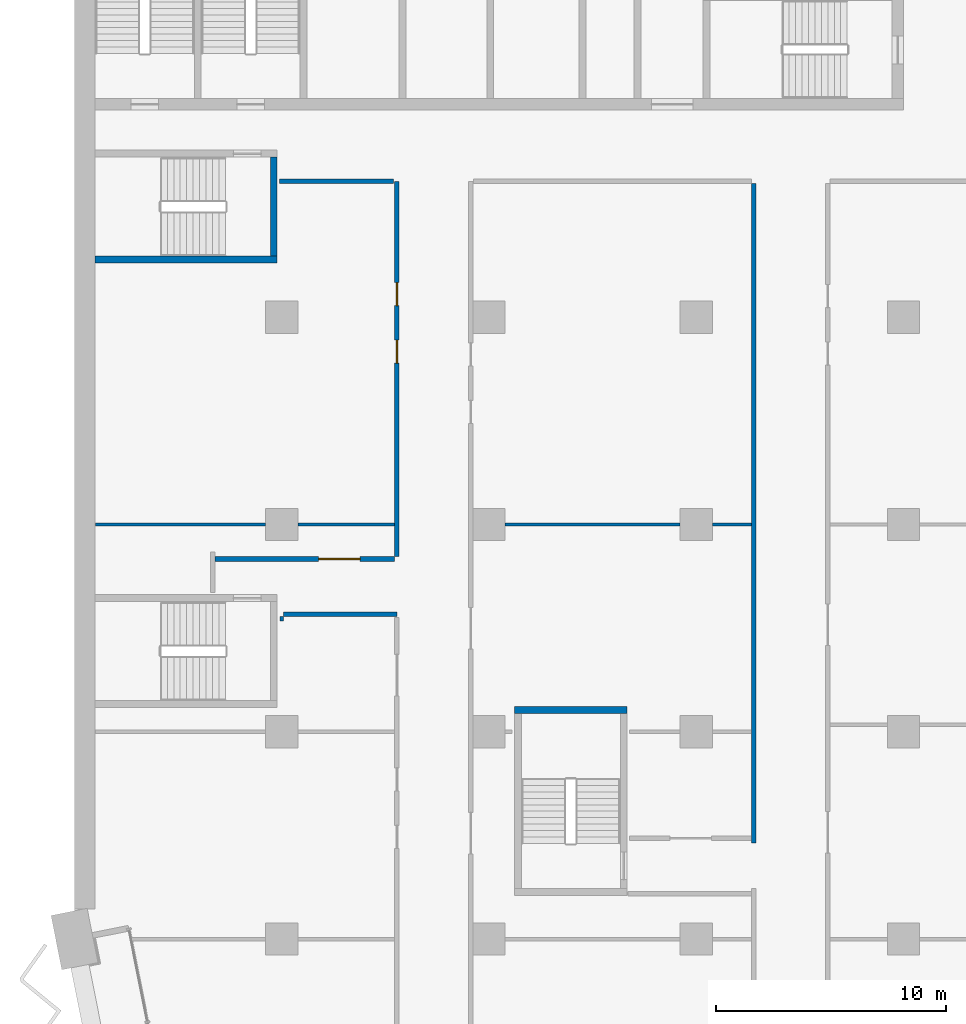
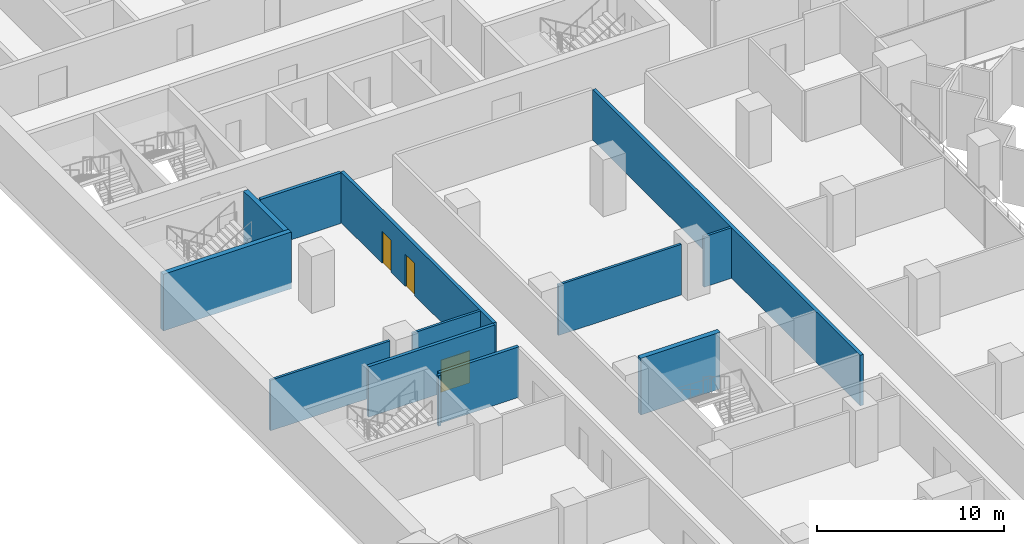
# One storey, part 12 of 29: 13 walls, 3 doors, 3 openings.
"""IFC4 building model written with IfcOpenShell, lengths in metres."""

from ifc_helpers import new_model, si_unit, direction, frame, frame_2d, origin, place, context, subcontext, project, spatial, rectangle, extrude, material, layer, layer_set, type_object, element, fill, save


model = new_model("IFC4")

# Units and contexts
model_context = context("Model", 3, precision=1e-05, world=origin(), true_north=direction((0.0, 1.0)))
body_context = subcontext(model_context, "Body", "Model", "MODEL_VIEW")
ifc_project = project(units=[si_unit("LENGTHUNIT", "METRE"), si_unit("AREAUNIT", "SQUARE_METRE"), si_unit("VOLUMEUNIT", "CUBIC_METRE"), si_unit("PLANEANGLEUNIT", "RADIAN"), si_unit("MASSUNIT", "GRAM", prefix="KILO")], contexts=[model_context])

# Site, building, storey
site_placement = place(None, origin())
site = spatial("IfcSite", under=ifc_project, at=site_placement, CompositionType="ELEMENT")
building_placement = place(site_placement, origin())
building = spatial("IfcBuilding", under=site, at=building_placement, Name="Hunhe Ridgeline Campus", CompositionType="ELEMENT")
storey_placement = place(building_placement, frame((0.0, 0.0, 69.10009765625)))
storey = spatial("IfcBuildingStorey", under=building, at=storey_placement, Name="L16", CompositionType="ELEMENT", Elevation=69.10009765625)

# Wall
ifc_material_1 = material(Name="Gypsum board partition")
ifc_layer_1 = layer(ifc_material_1, 0.199951171875)
ifc_layer_set_1 = layer_set([ifc_layer_1], Name="Corridor partition 200 gypsum board on steel studs")
wall_type_1 = type_object("IfcWallType", Name="Corridor partition 200 gypsum board on steel studs", PredefinedType="PARTITIONING", material=ifc_layer_set_1)
wall_1_placement = place(storey_placement, frame((14.0, 41.10009765625, 0.0), z_axis=(0.0, 0.0, 1.0), x_axis=(-1.0, 0.0, 0.0)))
element("IfcWall", 1, at=wall_1_placement, inside=storey, type_object=wall_type_1, Name="F-L16-wall-022", PredefinedType="PARTITIONING", context=body_context, shape_type="SweptSolid", body=[
    extrude(rectangle(XDim=4.925048828125, YDim=0.199951171875, at=frame_2d((2.46240234375, 0.0))), origin(), (0.0, 0.0, 1.0), 3.2998046875),
])

# Wall, opening, door
wall_2_placement = place(storey_placement, frame((6.10009765625, 43.5, 0.0), z_axis=(0.0, 0.0, 1.0), x_axis=(1.0, 0.0, 0.0)))
wall_2 = element("IfcWall", 2, at=wall_2_placement, inside=storey, type_object=wall_type_1, Name="F-L16-wall-023", PredefinedType="PARTITIONING", context=body_context, shape_type="SweptSolid", body=[
    extrude(rectangle(XDim=7.7998046875, YDim=0.199951171875, at=frame_2d((3.89990234375, 0.0))), origin(), (0.0, 0.0, 1.0), 3.2998046875),
])
opening_1_placement = place(wall_2_placement, frame((4.5, 0.0, 0.0)))
opening_1 = element("IfcOpeningElement", 3, at=opening_1_placement, cuts=wall_2, Name="Opening RD2-015", PredefinedType="OPENING", context=body_context, shape_type="SweptSolid", body=[
    extrude(rectangle(XDim=1.800048828125, YDim=2.10009765625, at=frame_2d((0.89990234375, 1.050048828125))), frame((0.0, 0.10009765625, 0.0), z_axis=(0.0, -1.0, 0.0), x_axis=(1.0, 0.0, 0.0)), (0.0, 0.0, 1.0), 0.199951171875),
])
ifc_material_2 = material(Name="Timber door leaf", Category="wood")
door_type_1 = type_object("IfcDoorType", Name="Double fire door 1800x2100 timber FD60", OperationType="DOUBLE_DOOR_SINGLE_SWING", PredefinedType="DOOR", material=ifc_material_2)
door_1_placement = place(opening_1_placement, origin())
door_1 = element("IfcDoor", 4, at=door_1_placement, inside=storey, type_object=door_type_1, Name="F-L16-door-015", OperationType="DOUBLE_DOOR_SINGLE_SWING", OverallHeight=2.10009765625, OverallWidth=1.800048828125, PredefinedType="DOOR", context=body_context, shape_type="SweptSolid", body=[
    extrude(rectangle(XDim=1.800048828125, YDim=2.10009765625, at=frame_2d((0.89990234375, 1.050048828125))), frame((0.0, 0.02490234375, 0.0), z_axis=(0.0, -1.0, 0.0), x_axis=(1.0, 0.0, 0.0)), (0.0, 0.0, 1.0), 0.050048828125),
])
fill(opening_1, door_1)

# Wall
wall_3_placement = place(storey_placement, frame((13.859375, 59.89990234375, 0.0), z_axis=(0.0, 0.0, 1.0), x_axis=(-1.0, 0.0, 0.0)))
element("IfcWall", 5, at=wall_3_placement, inside=storey, type_object=wall_type_1, Name="F-L16-wall-031", PredefinedType="PARTITIONING", context=body_context, shape_type="SweptSolid", body=[
    extrude(rectangle(XDim=4.955322265625, YDim=0.199951171875, at=frame_2d((2.4775390625, 0.0))), origin(), (0.0, 0.0, 1.0), 3.2998046875),
])

# Wall, openings, doors
wall_4_placement = place(storey_placement, frame((14.0, 43.60009765625, 0.0), z_axis=(0.0, 0.0, 1.0), x_axis=(0.0, 1.0, 0.0)))
wall_4 = element("IfcWall", 6, at=wall_4_placement, inside=storey, type_object=wall_type_1, Name="F-L16-wall-053", PredefinedType="PARTITIONING", context=body_context, shape_type="SweptSolid", body=[
    extrude(rectangle(XDim=16.2998046875, YDim=0.199951171875, at=frame_2d((8.14990234375, 0.0))), origin(), (0.0, 0.0, 1.0), 3.2998046875),
])
opening_2_placement = place(wall_4_placement, frame((8.40234375, 0.0, 0.0)))
opening_2 = element("IfcOpeningElement", 7, at=opening_2_placement, cuts=wall_4, Name="Opening RD1-019", PredefinedType="OPENING", context=body_context, shape_type="SweptSolid", body=[
    extrude(rectangle(XDim=1.0, YDim=2.10009765625, at=frame_2d((0.5, 1.050048828125))), frame((0.0, 0.10009765625, 0.0), z_axis=(0.0, -1.0, 0.0), x_axis=(1.0, 0.0, 0.0)), (0.0, 0.0, 1.0), 0.199951171875),
])
opening_3_placement = place(wall_4_placement, frame((10.90234375, 0.0, 0.0)))
opening_3 = element("IfcOpeningElement", 8, at=opening_3_placement, cuts=wall_4, Name="Opening RD1-021", PredefinedType="OPENING", context=body_context, shape_type="SweptSolid", body=[
    extrude(rectangle(XDim=1.0, YDim=2.10009765625, at=frame_2d((0.5, 1.050048828125))), frame((0.0, 0.10009765625, 0.0), z_axis=(0.0, -1.0, 0.0), x_axis=(1.0, 0.0, 0.0)), (0.0, 0.0, 1.0), 0.199951171875),
])
door_type_2 = type_object("IfcDoorType", Name="Single fire door 1000x2100 timber FD60", OperationType="NOTDEFINED", PredefinedType="DOOR", material=ifc_material_2)
door_2_placement = place(opening_2_placement, frame((1.0, 0.0, 0.0), z_axis=(0.0, 0.0, 1.0), x_axis=(-1.0, 0.0, 0.0)))
door_2 = element("IfcDoor", 9, at=door_2_placement, inside=storey, type_object=door_type_2, Name="F-L16-door-019", OperationType="SINGLE_SWING_LEFT", OverallHeight=2.10009765625, OverallWidth=1.0, PredefinedType="DOOR", context=body_context, shape_type="SweptSolid", body=[
    extrude(rectangle(XDim=1.0, YDim=2.10009765625, at=frame_2d((0.5, 1.050048828125))), frame((0.0, 0.02490234375, 0.0), z_axis=(0.0, -1.0, 0.0), x_axis=(1.0, 0.0, 0.0)), (0.0, 0.0, 1.0), 0.050048828125),
])
fill(opening_2, door_2)
door_3_placement = place(opening_3_placement, frame((1.0, 0.0, 0.0), z_axis=(0.0, 0.0, 1.0), x_axis=(-1.0, 0.0, 0.0)))
door_3 = element("IfcDoor", 10, at=door_3_placement, inside=storey, type_object=door_type_2, Name="F-L16-door-021", OperationType="SINGLE_SWING_LEFT", OverallHeight=2.10009765625, OverallWidth=1.0, PredefinedType="DOOR", context=body_context, shape_type="SweptSolid", body=[
    extrude(rectangle(XDim=1.0, YDim=2.10009765625, at=frame_2d((0.5, 1.050048828125))), frame((0.0, 0.02490234375, 0.0), z_axis=(0.0, -1.0, 0.0), x_axis=(1.0, 0.0, 0.0)), (0.0, 0.0, 1.0), 0.050048828125),
])
fill(opening_3, door_3)

# Walls
wall_5_placement = place(storey_placement, frame((29.5, 31.17626953125, 0.0), z_axis=(0.0, 0.0, 1.0), x_axis=(0.0, 1.0, 0.0)))
element("IfcWall", 11, at=wall_5_placement, inside=storey, type_object=wall_type_1, Name="F-L16-wall-056", PredefinedType="PARTITIONING", context=body_context, shape_type="SweptSolid", body=[
    extrude(rectangle(XDim=28.623779296875, YDim=0.199951171875, at=frame_2d((14.31201171875, 0.0))), origin(), (0.0, 0.0, 1.0), 3.2998046875),
])
ifc_layer_2 = layer(ifc_material_1, 0.14990234375)
ifc_layer_set_2 = layer_set([ifc_layer_2], Name="Room partition 150 gypsum board on steel studs")
wall_type_2 = type_object("IfcWallType", Name="Room partition 150 gypsum board on steel studs", PredefinedType="PARTITIONING", material=ifc_layer_set_2)
wall_6_placement = place(storey_placement, frame((0.919921875, 45.0, 0.0), z_axis=(0.0, 0.0, 1.0), x_axis=(1.0, 0.0, 0.0)))
element("IfcWall", 12, at=wall_6_placement, inside=storey, type_object=wall_type_2, Name="F-L16-wall-024", PredefinedType="PARTITIONING", context=body_context, shape_type="SweptSolid", body=[
    extrude(rectangle(XDim=7.380126953125, YDim=0.14990234375, at=frame_2d((3.68994140625, 0.0))), origin(), (0.0, 0.0, 1.0), 3.2998046875),
])
wall_7_placement = place(storey_placement, frame((9.699951171875, 45.0, 0.0), z_axis=(0.0, 0.0, 1.0), x_axis=(1.0, 0.0, 0.0)))
element("IfcWall", 13, at=wall_7_placement, inside=storey, type_object=wall_type_2, Name="F-L16-wall-025", PredefinedType="PARTITIONING", context=body_context, shape_type="SweptSolid", body=[
    extrude(rectangle(XDim=4.199951171875, YDim=0.14990234375, at=frame_2d((2.10009765625, 0.0))), origin(), (0.0, 0.0, 1.0), 3.2998046875),
])
wall_8_placement = place(storey_placement, frame((18.699951171875, 45.0, 0.0), z_axis=(0.0, 0.0, 1.0), x_axis=(1.0, 0.0, 0.0)))
element("IfcWall", 14, at=wall_8_placement, inside=storey, type_object=wall_type_2, Name="F-L16-wall-026", PredefinedType="PARTITIONING", context=body_context, shape_type="SweptSolid", body=[
    extrude(rectangle(XDim=7.60009765625, YDim=0.14990234375, at=frame_2d((3.800048828125, 0.0))), origin(), (0.0, 0.0, 1.0), 3.2998046875),
])
wall_9_placement = place(storey_placement, frame((27.699951171875, 45.0, 0.0), z_axis=(0.0, 0.0, 1.0), x_axis=(1.0, 0.0, 0.0)))
element("IfcWall", 15, at=wall_9_placement, inside=storey, type_object=wall_type_2, Name="F-L16-wall-027", PredefinedType="PARTITIONING", context=body_context, shape_type="SweptSolid", body=[
    extrude(rectangle(XDim=1.699951171875, YDim=0.14990234375, at=frame_2d((0.85009765625, 0.0))), origin(), (0.0, 0.0, 1.0), 3.2998046875),
])
wall_10_placement = place(storey_placement, frame((9.0, 41.0, 0.0), z_axis=(0.0, 0.0, 1.0), x_axis=(0.0, -1.0, 0.0)))
element("IfcWall", 16, at=wall_10_placement, inside=storey, type_object=wall_type_2, Name="F-L16-wall-051", PredefinedType="PARTITIONING", context=body_context, shape_type="SweptSolid", body=[
    extrude(rectangle(XDim=0.199951171875, YDim=0.14990234375, at=frame_2d((0.10009765625, 0.0))), origin(), (0.0, 0.0, 1.0), 3.2998046875),
])
ifc_material_3 = material(Name="Concrete C80", Category="concrete")
ifc_layer_3 = layer(ifc_material_3, 0.300048828125)
ifc_layer_set_3 = layer_set([ifc_layer_3], Name="Stair wall 300 reinforced concrete C80")
wall_type_3 = type_object("IfcWallType", Name="Stair wall 300 reinforced concrete C80", PredefinedType="SOLIDWALL", material=ifc_layer_set_3)
wall_11_placement = place(storey_placement, frame((19.10009765625, 36.949951171875, -0.400146484375), z_axis=(0.0, 0.0, 1.0), x_axis=(1.0, 0.0, 0.0)))
element("IfcWall", 17, at=wall_11_placement, inside=storey, type_object=wall_type_3, Name="L16 core wall 2", PredefinedType="SOLIDWALL", context=body_context, shape_type="SweptSolid", body=[
    extrude(rectangle(XDim=4.89990234375, YDim=0.300048828125, at=frame_2d((2.449951171875, 0.0))), origin(), (0.0, 0.0, 1.0), 3.699951171875),
])
wall_12_placement = place(storey_placement, frame((0.89990234375, 56.5, -0.400146484375), z_axis=(0.0, 0.0, 1.0), x_axis=(1.0, 0.0, 0.0)))
element("IfcWall", 18, at=wall_12_placement, inside=storey, type_object=wall_type_3, Name="L16 core wall 5", PredefinedType="SOLIDWALL", context=body_context, shape_type="SweptSolid", body=[
    extrude(rectangle(XDim=7.900146484375, YDim=0.300048828125, at=frame_2d((3.9501953125, 0.0))), origin(), (0.0, 0.0, 1.0), 3.699951171875),
])
wall_13_placement = place(storey_placement, frame((8.64990234375, 56.64990234375, -0.400146484375), z_axis=(0.0, 0.0, 1.0), x_axis=(0.0, 1.0, 0.0)))
element("IfcWall", 19, at=wall_13_placement, inside=storey, type_object=wall_type_3, Name="L16 core wall 42", PredefinedType="SOLIDWALL", context=body_context, shape_type="SweptSolid", body=[
    extrude(rectangle(XDim=4.300048828125, YDim=0.300048828125, at=frame_2d((2.14990234375, 0.0))), origin(), (0.0, 0.0, 1.0), 3.699951171875),
])

save(model, "model.ifc")
